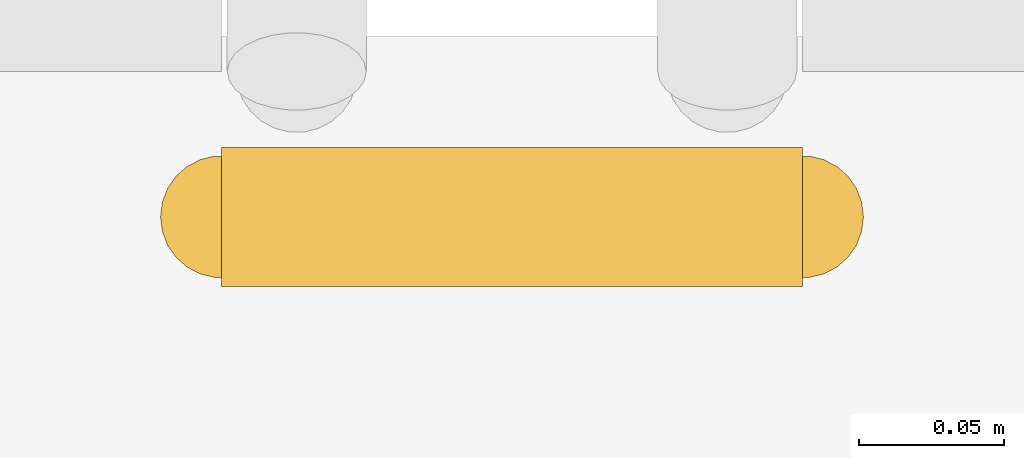
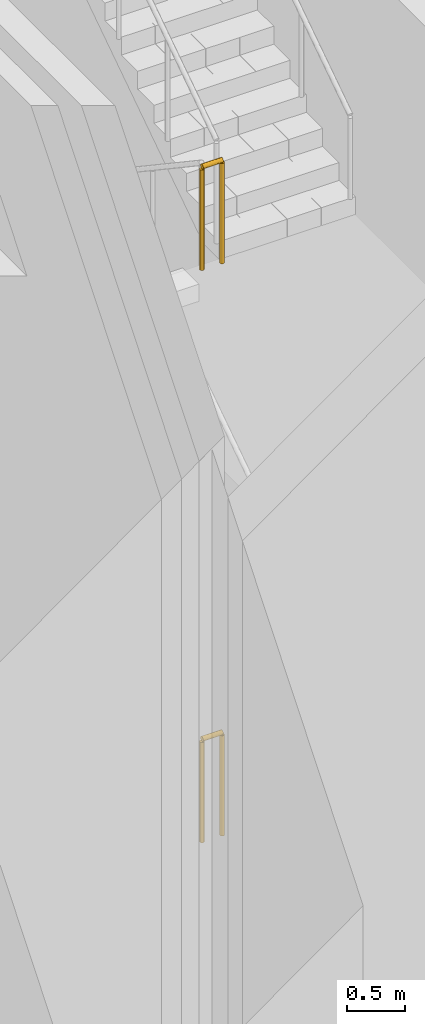
# One storey, part 25 of 52: 2 railings.
"""IFC4 building model written with IfcOpenShell, lengths in metres."""

from ifc_helpers import new_model, si_unit, direction, frame, origin, origin_2d, place, context, subcontext, project, spatial, circle, extrude, material, type_object, element, save


model = new_model("IFC4")

# Units and contexts
model_context = context("Model", 3, precision=1e-05, world=origin(), true_north=direction((0.0, 1.0)))
body_context = subcontext(model_context, "Body", "Model", "MODEL_VIEW")
ifc_project = project(units=[si_unit("LENGTHUNIT", "METRE"), si_unit("AREAUNIT", "SQUARE_METRE"), si_unit("VOLUMEUNIT", "CUBIC_METRE"), si_unit("PLANEANGLEUNIT", "RADIAN"), si_unit("MASSUNIT", "GRAM", prefix="KILO")], contexts=[model_context])

# Site, building, storey
site_placement = place(None, origin())
site = spatial("IfcSite", under=ifc_project, at=site_placement, CompositionType="ELEMENT")
building_placement = place(site_placement, origin())
building = spatial("IfcBuilding", under=site, at=building_placement, Name="Cantera Rosa Tower", CompositionType="ELEMENT")
storey_placement = place(building_placement, origin())
storey = spatial("IfcBuildingStorey", under=building, at=storey_placement, Name="L00", CompositionType="ELEMENT", Elevation=0.0)

# Railings
ifc_material = material(Name="Steel S355J2 (EN 10025-2)", Category="steel")
railing_type = type_object("IfcRailingType", Name="STAIR GUARD 1100", PredefinedType="GUARDRAIL", material=ifc_material)
for number, where, name in (
    (1, (-30.824951171875, -25.375, 3.0), "L00 ST-SW stair guard 2"),
    (2, (-30.824951171875, -25.375, 9.0), "L00 ST-SW stair guard 6"),
):
    element("IfcRailing", number, at=place(storey_placement, frame(where)), inside=storey, type_object=railing_type, Name=name, PredefinedType="GUARDRAIL", context=body_context, shape_type="SweptSolid", body=[
        extrude(circle(Radius=0.02392578125, at=origin_2d()), frame((0.0, 0.0, 1.076171875), z_axis=(1.0, 0.0, 0.0), x_axis=(0.0, 1.0, 0.0)), (0.0, 0.0, 1.0), 0.199951171875),
        extrude(circle(Radius=0.02099609375, at=origin_2d()), origin(), (0.0, 0.0, 1.0), 1.052001953125),
        extrude(circle(Radius=0.02099609375, at=origin_2d()), frame((0.199951171875, 0.0, 0.0)), (0.0, 0.0, 1.0), 1.052001953125),
    ])

save(model, "model.ifc")
